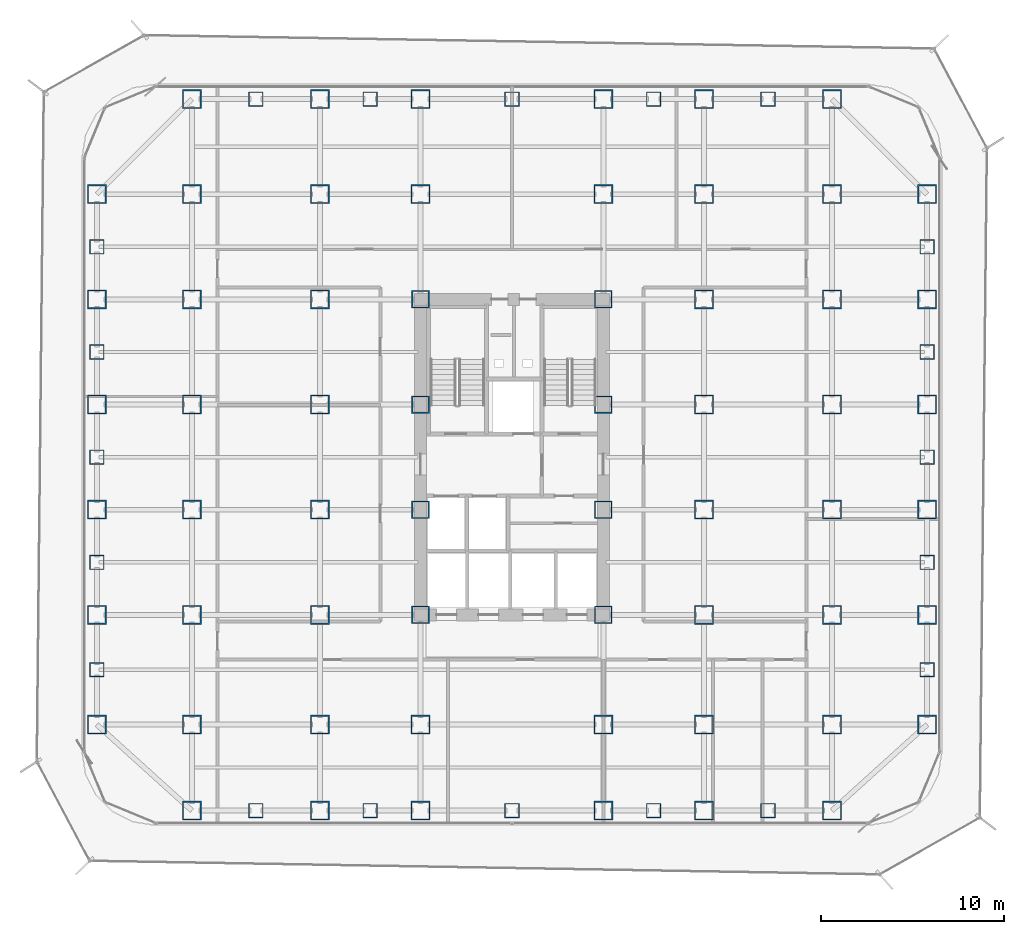
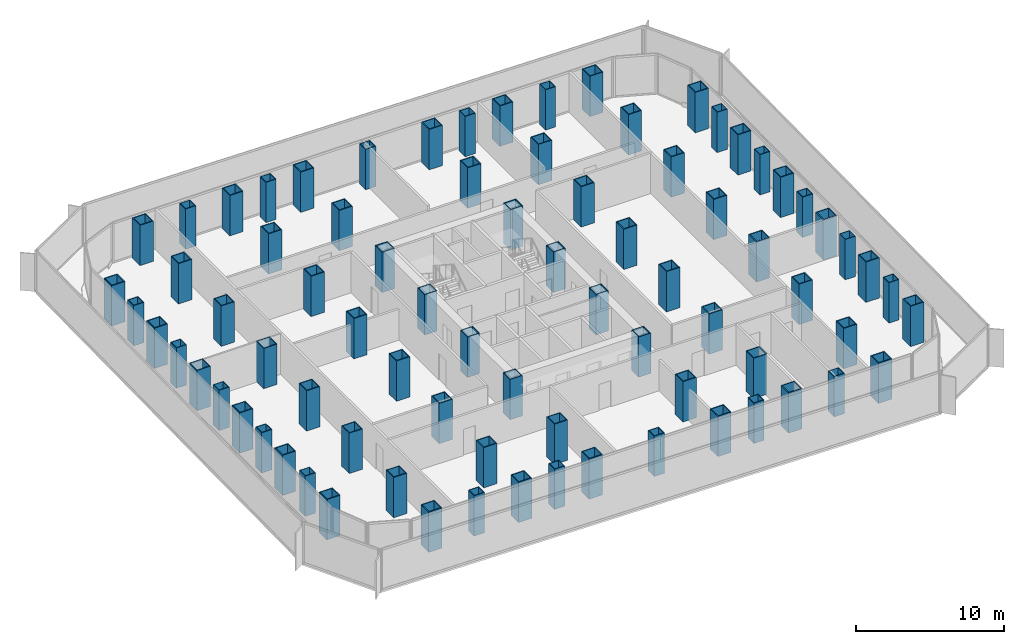
# One storey, part 1 of 21: 80 columns.
"""IFC4 building model written with IfcOpenShell, lengths in metres."""

from ifc_helpers import new_model, si_unit, direction, frame, origin, origin_2d, place, context, subcontext, project, spatial, hollow_rectangle, extrude, source, transform, mapped, material, material_profile, profile_set, type_object, element, save


model = new_model("IFC4")

# Units and contexts
model_context = context("Model", 3, precision=1e-05, world=origin(), true_north=direction((0.0, 1.0)))
body_context = subcontext(model_context, "Body", "Model", "MODEL_VIEW")
ifc_project = project(units=[si_unit("LENGTHUNIT", "METRE"), si_unit("AREAUNIT", "SQUARE_METRE"), si_unit("VOLUMEUNIT", "CUBIC_METRE"), si_unit("PLANEANGLEUNIT", "RADIAN"), si_unit("MASSUNIT", "GRAM", prefix="KILO")], contexts=[model_context])

# Site, building, storey
site_placement = place(None, origin())
site = spatial("IfcSite", under=ifc_project, at=site_placement, CompositionType="ELEMENT")
building_placement = place(site_placement, origin())
building = spatial("IfcBuilding", under=site, at=building_placement, Name="Kolveth Station Tower", CompositionType="ELEMENT")
storey_placement = place(building_placement, frame((0.0, 0.0, 40.5)))
storey = spatial("IfcBuildingStorey", under=building, at=storey_placement, Name="L10", CompositionType="ELEMENT", Elevation=40.5)

# Columns
ifc_material_1 = material(Name="Steel S460", Category="steel")
ifc_material_profile_1 = material_profile(ifc_material_1, hollow_rectangle(XDim=1.0400390625, YDim=1.0400390625, WallThickness=0.06494140625, at=origin_2d()), Name="BOX1040x1040x65")
ifc_profile_set_1 = profile_set([ifc_material_profile_1], Name="Steel S460")
column_type_1 = type_object("IfcColumnType", Name="Col_C2", PredefinedType="COLUMN", material=ifc_profile_set_1)
shared_shape_1 = source(origin(), body_context, "Body", "SweptSolid", [
    extrude(hollow_rectangle(XDim=1.0400390625, YDim=1.0400390625, WallThickness=0.06494140625, at=origin_2d()), origin(), (0.0, 0.0, 1.0), 3.320068359375),
])
for number, where, z_axis, x_axis, name in (
    (1, (6.0, 0.800048828125, 0.0), (0.0, 0.0, 1.0), (1.0, 0.0, 0.0), "L10 Tower Column S-X60"),
    (2, (6.0, 39.699951171875, 0.0), (0.0, 0.0, 1.0), (1.0, 0.0, 0.0), "L10 Tower Column N-X60"),
    (3, (13.0, 0.800048828125, 0.0), (0.0, 0.0, 1.0), (1.0, 0.0, 0.0), "L10 Tower Column S-X130"),
    (4, (13.0, 39.699951171875, 0.0), (0.0, 0.0, 1.0), (1.0, 0.0, 0.0), "L10 Tower Column N-X130"),
    (5, (18.5, 0.800048828125, 0.0), (0.0, 0.0, 1.0), (1.0, 0.0, 0.0), "L10 Tower Column S-X185"),
    (6, (18.5, 39.699951171875, 0.0), (0.0, 0.0, 1.0), (1.0, 0.0, 0.0), "L10 Tower Column N-X185"),
    (7, (28.5, 0.800048828125, 0.0), (0.0, 0.0, 1.0), (1.0, 0.0, 0.0), "L10 Tower Column S-X285"),
    (8, (28.5, 39.699951171875, 0.0), (0.0, 0.0, 1.0), (1.0, 0.0, 0.0), "L10 Tower Column N-X285"),
    (9, (34.0, 0.800048828125, 0.0), (0.0, 0.0, 1.0), (1.0, 0.0, 0.0), "L10 Tower Column S-X340"),
    (10, (34.0, 39.699951171875, 0.0), (0.0, 0.0, 1.0), (1.0, 0.0, 0.0), "L10 Tower Column N-X340"),
    (11, (41.0, 0.800048828125, 0.0), (0.0, 0.0, 1.0), (1.0, 0.0, 0.0), "L10 Tower Column S-X410"),
    (12, (41.0, 39.699951171875, 0.0), (0.0, 0.0, 1.0), (1.0, 0.0, 0.0), "L10 Tower Column N-X410"),
    (13, (0.800048828125, 5.5, 0.0), (0.0, 0.0, 1.0), (1.0, 0.0, 0.0), "L10 Tower Column W-Y55"),
    (14, (46.199951171875, 5.5, 0.0), (0.0, 0.0, 1.0), (1.0, 0.0, 0.0), "L10 Tower Column E-Y55"),
    (15, (0.800048828125, 11.5, 0.0), (0.0, 0.0, 1.0), (1.0, 0.0, 0.0), "L10 Tower Column W-Y115"),
    (16, (46.199951171875, 11.5, 0.0), (0.0, 0.0, 1.0), (1.0, 0.0, 0.0), "L10 Tower Column E-Y115"),
    (17, (0.800048828125, 17.25, 0.0), (0.0, 0.0, 1.0), (1.0, 0.0, 0.0), "L10 Tower Column W-Y172"),
    (18, (46.199951171875, 17.25, 0.0), (0.0, 0.0, 1.0), (1.0, 0.0, 0.0), "L10 Tower Column E-Y172"),
    (19, (0.800048828125, 23.0, 0.0), (0.0, 0.0, 1.0), (1.0, 0.0, 0.0), "L10 Tower Column W-Y230"),
    (20, (46.199951171875, 23.0, 0.0), (0.0, 0.0, 1.0), (1.0, 0.0, 0.0), "L10 Tower Column E-Y230"),
    (21, (0.800048828125, 28.75, 0.0), (0.0, 0.0, 1.0), (1.0, 0.0, 0.0), "L10 Tower Column W-Y287"),
    (22, (46.199951171875, 28.75, 0.0), (0.0, 0.0, 1.0), (1.0, 0.0, 0.0), "L10 Tower Column E-Y287"),
    (23, (0.800048828125, 34.5, 0.0), (0.0, 0.0, 1.0), (1.0, 0.0, 0.0), "L10 Tower Column W-Y345"),
    (24, (46.199951171875, 34.5, 0.0), (0.0, 0.0, 1.0), (1.0, 0.0, 0.0), "L10 Tower Column E-Y345"),
    (25, (6.0, 5.5, 0.0), (0.0, 0.0, 1.0), (1.0, 0.0, 0.0), "L10 Tower Column G-60-55"),
    (26, (6.0, 11.5, 0.0), (0.0, 0.0, 1.0), (1.0, 0.0, 0.0), "L10 Tower Column G-60-115"),
    (27, (6.0, 17.25, 0.0), (0.0, 0.0, 1.0), (1.0, 0.0, 0.0), "L10 Tower Column G-60-172"),
    (28, (6.0, 23.0, 0.0), (0.0, 0.0, 1.0), (1.0, 0.0, 0.0), "L10 Tower Column G-60-230"),
    (29, (6.0, 28.75, 0.0), (0.0, 0.0, 1.0), (1.0, 0.0, 0.0), "L10 Tower Column G-60-287"),
    (30, (6.0, 34.5, 0.0), (0.0, 0.0, 1.0), (1.0, 0.0, 0.0), "L10 Tower Column G-60-345"),
    (31, (13.0, 5.5, 0.0), (0.0, 0.0, 1.0), (1.0, 0.0, 0.0), "L10 Tower Column G-130-55"),
    (32, (13.0, 11.5, 0.0), (0.0, 0.0, 1.0), (1.0, 0.0, 0.0), "L10 Tower Column G-130-115"),
    (33, (13.0, 17.25, 0.0), (0.0, 0.0, 1.0), (1.0, 0.0, 0.0), "L10 Tower Column G-130-172"),
    (34, (13.0, 23.0, 0.0), (0.0, 0.0, 1.0), (1.0, 0.0, 0.0), "L10 Tower Column G-130-230"),
    (35, (13.0, 28.75, 0.0), (0.0, 0.0, 1.0), (1.0, 0.0, 0.0), "L10 Tower Column G-130-287"),
    (36, (13.0, 34.5, 0.0), (0.0, 0.0, 1.0), (1.0, 0.0, 0.0), "L10 Tower Column G-130-345"),
    (37, (18.5, 5.5, 0.0), (0.0, 0.0, 1.0), (1.0, 0.0, 0.0), "L10 Tower Column G-185-55"),
    (38, (18.5, 34.5, 0.0), (0.0, 0.0, 1.0), (1.0, 0.0, 0.0), "L10 Tower Column G-185-345"),
    (39, (28.5, 5.5, 0.0), (0.0, 0.0, 1.0), (1.0, 0.0, 0.0), "L10 Tower Column G-285-55"),
    (40, (28.5, 34.5, 0.0), (0.0, 0.0, 1.0), (1.0, 0.0, 0.0), "L10 Tower Column G-285-345"),
    (41, (34.0, 5.5, 0.0), (0.0, 0.0, 1.0), (1.0, 0.0, 0.0), "L10 Tower Column G-340-55"),
    (42, (34.0, 11.5, 0.0), (0.0, 0.0, 1.0), (1.0, 0.0, 0.0), "L10 Tower Column G-340-115"),
    (43, (34.0, 17.25, 0.0), (0.0, 0.0, 1.0), (1.0, 0.0, 0.0), "L10 Tower Column G-340-172"),
    (44, (34.0, 23.0, 0.0), (0.0, 0.0, 1.0), (1.0, 0.0, 0.0), "L10 Tower Column G-340-230"),
    (45, (34.0, 28.75, 0.0), (0.0, 0.0, 1.0), (1.0, 0.0, 0.0), "L10 Tower Column G-340-287"),
    (46, (34.0, 34.5, 0.0), (0.0, 0.0, 1.0), (1.0, 0.0, 0.0), "L10 Tower Column G-340-345"),
    (47, (41.0, 5.5, 0.0), (0.0, 0.0, 1.0), (1.0, 0.0, 0.0), "L10 Tower Column G-410-55"),
    (48, (41.0, 11.5, 0.0), (0.0, 0.0, 1.0), (1.0, 0.0, 0.0), "L10 Tower Column G-410-115"),
    (49, (41.0, 17.25, 0.0), (0.0, 0.0, 1.0), (1.0, 0.0, 0.0), "L10 Tower Column G-410-172"),
    (50, (41.0, 23.0, 0.0), (0.0, 0.0, 1.0), (1.0, 0.0, 0.0), "L10 Tower Column G-410-230"),
    (51, (41.0, 28.75, 0.0), (0.0, 0.0, 1.0), (1.0, 0.0, 0.0), "L10 Tower Column G-410-287"),
    (52, (41.0, 34.5, 0.0), (0.0, 0.0, 1.0), (1.0, 0.0, 0.0), "L10 Tower Column G-410-345"),
):
    element("IfcColumn", number, at=place(storey_placement, frame(where, z_axis=z_axis, x_axis=x_axis)), inside=storey, type_object=column_type_1, Name=name, PredefinedType="COLUMN", context=body_context, shape_type="MappedRepresentation", body=[
        mapped(shared_shape_1, transform((0.0, 0.0, 0.0), x_axis=(1.0, 0.0, 0.0), y_axis=(0.0, 1.0, 0.0), z_axis=(0.0, 0.0, 1.0), scale=1.0)),
    ])
ifc_material_profile_2 = material_profile(ifc_material_1, hollow_rectangle(XDim=0.9599609375, YDim=0.9599609375, WallThickness=0.06005859375, at=origin_2d()), Name="BOX960x960x60")
ifc_profile_set_2 = profile_set([ifc_material_profile_2], Name="Steel S460")
column_type_2 = type_object("IfcColumnType", Name="Col_C3", PredefinedType="COLUMN", material=ifc_profile_set_2)
shared_shape_2 = source(origin(), body_context, "Body", "SweptSolid", [
    extrude(hollow_rectangle(XDim=0.9599609375, YDim=0.9599609375, WallThickness=0.06005859375, at=origin_2d()), origin(), (0.0, 0.0, 1.0), 3.320068359375),
])
for number, where, z_axis, x_axis, name in (
    (53, (18.5, 11.5, 0.0), (0.0, 0.0, 1.0), (1.0, 0.0, 0.0), "L10 Tower Column G-185-115"),
    (54, (18.5, 17.25, 0.0), (0.0, 0.0, 1.0), (1.0, 0.0, 0.0), "L10 Tower Column G-185-172"),
    (55, (18.5, 23.0, 0.0), (0.0, 0.0, 1.0), (1.0, 0.0, 0.0), "L10 Tower Column G-185-230"),
    (56, (18.5, 28.75, 0.0), (0.0, 0.0, 1.0), (1.0, 0.0, 0.0), "L10 Tower Column G-185-287"),
    (57, (28.5, 11.5, 0.0), (0.0, 0.0, 1.0), (1.0, 0.0, 0.0), "L10 Tower Column G-285-115"),
    (58, (28.5, 17.25, 0.0), (0.0, 0.0, 1.0), (1.0, 0.0, 0.0), "L10 Tower Column G-285-172"),
    (59, (28.5, 23.0, 0.0), (0.0, 0.0, 1.0), (1.0, 0.0, 0.0), "L10 Tower Column G-285-230"),
    (60, (28.5, 28.75, 0.0), (0.0, 0.0, 1.0), (1.0, 0.0, 0.0), "L10 Tower Column G-285-287"),
):
    element("IfcColumn", number, at=place(storey_placement, frame(where, z_axis=z_axis, x_axis=x_axis)), inside=storey, type_object=column_type_2, Name=name, PredefinedType="COLUMN", context=body_context, shape_type="MappedRepresentation", body=[
        mapped(shared_shape_2, transform((0.0, 0.0, 0.0), x_axis=(1.0, 0.0, 0.0), y_axis=(0.0, 1.0, 0.0), z_axis=(0.0, 0.0, 1.0), scale=1.0)),
    ])
ifc_material_2 = material(Name="Steel S355", Category="steel")
ifc_material_profile_3 = material_profile(ifc_material_2, hollow_rectangle(XDim=0.800048828125, YDim=0.800048828125, WallThickness=0.044921875, at=origin_2d()), Name="BOX800x800x45")
ifc_profile_set_3 = profile_set([ifc_material_profile_3], Name="Steel S355")
column_type_3 = type_object("IfcColumnType", Name="Col_C5", PredefinedType="COLUMN", material=ifc_profile_set_3)
shared_shape_3 = source(origin(), body_context, "Body", "SweptSolid", [
    extrude(hollow_rectangle(XDim=0.800048828125, YDim=0.800048828125, WallThickness=0.044921875, at=origin_2d()), origin(), (0.0, 0.0, 1.0), 3.320068359375),
])
for number, where, z_axis, x_axis, name in (
    (61, (9.5, 0.800048828125, 0.0), (0.0, 0.0, 1.0), (1.0, 0.0, 0.0), "L10 Tower Column MS-X95"),
    (62, (9.5, 39.699951171875, 0.0), (0.0, 0.0, 1.0), (1.0, 0.0, 0.0), "L10 Tower Column MN-X95"),
    (63, (15.75, 0.800048828125, 0.0), (0.0, 0.0, 1.0), (1.0, 0.0, 0.0), "L10 Tower Column MS-X157"),
    (64, (15.75, 39.699951171875, 0.0), (0.0, 0.0, 1.0), (1.0, 0.0, 0.0), "L10 Tower Column MN-X157"),
    (65, (23.5, 0.800048828125, 0.0), (0.0, 0.0, 1.0), (1.0, 0.0, 0.0), "L10 Tower Column MS-X235"),
    (66, (23.5, 39.699951171875, 0.0), (0.0, 0.0, 1.0), (1.0, 0.0, 0.0), "L10 Tower Column MN-X235"),
    (67, (31.25, 0.800048828125, 0.0), (0.0, 0.0, 1.0), (1.0, 0.0, 0.0), "L10 Tower Column MS-X312"),
    (68, (31.25, 39.699951171875, 0.0), (0.0, 0.0, 1.0), (1.0, 0.0, 0.0), "L10 Tower Column MN-X312"),
    (69, (37.5, 0.800048828125, 0.0), (0.0, 0.0, 1.0), (1.0, 0.0, 0.0), "L10 Tower Column MS-X375"),
    (70, (37.5, 39.699951171875, 0.0), (0.0, 0.0, 1.0), (1.0, 0.0, 0.0), "L10 Tower Column MN-X375"),
    (71, (0.800048828125, 8.5, 0.0), (0.0, 0.0, 1.0), (1.0, 0.0, 0.0), "L10 Tower Column MW-Y85"),
    (72, (46.199951171875, 8.5, 0.0), (0.0, 0.0, 1.0), (1.0, 0.0, 0.0), "L10 Tower Column ME-Y85"),
    (73, (0.800048828125, 14.375, 0.0), (0.0, 0.0, 1.0), (1.0, 0.0, 0.0), "L10 Tower Column MW-Y143"),
    (74, (46.199951171875, 14.375, 0.0), (0.0, 0.0, 1.0), (1.0, 0.0, 0.0), "L10 Tower Column ME-Y143"),
    (75, (0.800048828125, 20.125, 0.0), (0.0, 0.0, 1.0), (1.0, 0.0, 0.0), "L10 Tower Column MW-Y201"),
    (76, (46.199951171875, 20.125, 0.0), (0.0, 0.0, 1.0), (1.0, 0.0, 0.0), "L10 Tower Column ME-Y201"),
    (77, (0.800048828125, 25.875, 0.0), (0.0, 0.0, 1.0), (1.0, 0.0, 0.0), "L10 Tower Column MW-Y258"),
    (78, (46.199951171875, 25.875, 0.0), (0.0, 0.0, 1.0), (1.0, 0.0, 0.0), "L10 Tower Column ME-Y258"),
    (79, (0.800048828125, 31.625, 0.0), (0.0, 0.0, 1.0), (1.0, 0.0, 0.0), "L10 Tower Column MW-Y316"),
    (80, (46.199951171875, 31.625, 0.0), (0.0, 0.0, 1.0), (1.0, 0.0, 0.0), "L10 Tower Column ME-Y316"),
):
    element("IfcColumn", number, at=place(storey_placement, frame(where, z_axis=z_axis, x_axis=x_axis)), inside=storey, type_object=column_type_3, Name=name, PredefinedType="COLUMN", context=body_context, shape_type="MappedRepresentation", body=[
        mapped(shared_shape_3, transform((0.0, 0.0, 0.0), x_axis=(1.0, 0.0, 0.0), y_axis=(0.0, 1.0, 0.0), z_axis=(0.0, 0.0, 1.0), scale=1.0)),
    ])

save(model, "model.ifc")
